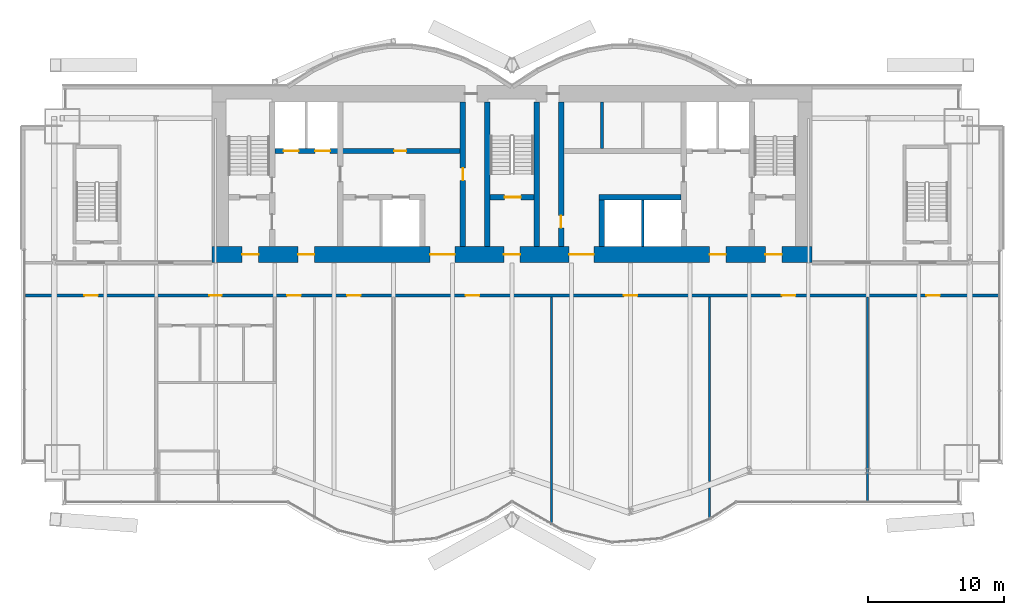
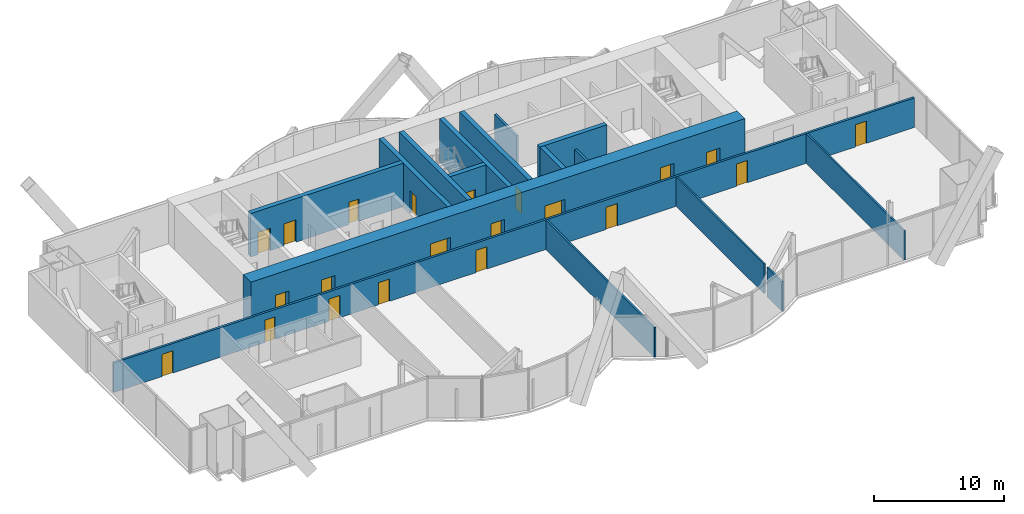
# One storey, part 15 of 20: 21 doors, 16 walls, 21 openings.
"""IFC4 building model written with IfcOpenShell, lengths in metres."""

from ifc_helpers import new_model, si_unit, direction, frame, frame_2d, origin, place, context, subcontext, project, spatial, rectangle, extrude, material, layer, layer_set, type_object, element, fill, save


model = new_model("IFC4")

# Units and contexts
model_context = context("Model", 3, precision=1e-05, world=origin(), true_north=direction((0.0, 1.0)))
body_context = subcontext(model_context, "Body", "Model", "MODEL_VIEW")
ifc_project = project(units=[si_unit("LENGTHUNIT", "METRE"), si_unit("AREAUNIT", "SQUARE_METRE"), si_unit("VOLUMEUNIT", "CUBIC_METRE"), si_unit("PLANEANGLEUNIT", "RADIAN"), si_unit("MASSUNIT", "GRAM", prefix="KILO")], contexts=[model_context])

# Site, building, storey
site_placement = place(None, origin())
site = spatial("IfcSite", under=ifc_project, at=site_placement, CompositionType="ELEMENT")
building_placement = place(site_placement, origin())
building = spatial("IfcBuilding", under=site, at=building_placement, Name="Bicima Exchange Tower", CompositionType="ELEMENT")
storey_placement = place(building_placement, frame((0.0, 0.0, 231.89990234375)))
storey = spatial("IfcBuildingStorey", under=building, at=storey_placement, Name="L52", CompositionType="ELEMENT", Elevation=231.89990234375)

# Walls
ifc_material_1 = material(Name="Gypsum board partition")
ifc_layer_1 = layer(ifc_material_1, 0.199951171875)
ifc_layer_set_1 = layer_set([ifc_layer_1], Name="Gypsum board partition")
wall_type_1 = type_object("IfcWallType", Name="Fire-rated gypsum partition 200 EI120", PredefinedType="PARTITIONING", material=ifc_layer_set_1)
for number, where, z_axis, x_axis, name in (
    (1, (6.60009765625, -4.60009765625, 0.0), (0.0, 0.0, 1.0), (0.0, 1.0, 0.0), "partition wall 18"),
    (2, (9.60009765625, -11.800048828125, 0.0), (0.0, 0.0, 1.0), (0.0, 1.0, 0.0), "partition wall 19"),
):
    element("IfcWall", number, at=place(storey_placement, frame(where, z_axis=z_axis, x_axis=x_axis)), inside=storey, type_object=wall_type_1, Name=name, PredefinedType="PARTITIONING", context=body_context, shape_type="SweptSolid", body=[
        extrude(rectangle(XDim=3.400146484375, YDim=0.199951171875, at=frame_2d((1.7001953125, 0.0))), origin(), (0.0, 0.0, 1.0), 2.790283203125),
    ])

# Wall, openings, doors
ifc_layer_2 = layer(ifc_material_1, 0.199951171875)
ifc_layer_set_2 = layer_set([ifc_layer_2], Name="Gypsum board partition")
wall_type_2 = type_object("IfcWallType", Name="Fire-rated gypsum partition 200 EI60", PredefinedType="PARTITIONING", material=ifc_layer_set_2)
wall_1_placement = place(storey_placement, frame((-35.679931640625, -15.39990234375, 0.0), z_axis=(0.0, 0.0, 1.0), x_axis=(1.0, 0.0, 0.0)))
wall_1 = element("IfcWall", 3, at=wall_1_placement, inside=storey, type_object=wall_type_2, Name="partition wall 4", PredefinedType="PARTITIONING", context=body_context, shape_type="SweptSolid", body=[
    extrude(rectangle(XDim=71.35986328125, YDim=0.199951171875, at=frame_2d((35.679931640625, 0.0))), origin(), (0.0, 0.0, 1.0), 2.790283203125),
])
opening_1_placement = place(wall_1_placement, frame((4.300048828125, 0.0, 0.0)))
opening_1 = element("IfcOpeningElement", 4, at=opening_1_placement, cuts=wall_1, Name="Opening L52-007", PredefinedType="OPENING", context=body_context, shape_type="SweptSolid", body=[
    extrude(rectangle(XDim=1.0, YDim=2.10009765625, at=frame_2d((0.5, 1.050048828125))), frame((0.0, 0.11181640625, 0.0), z_axis=(0.0, -1.0, 0.0), x_axis=(1.0, 0.0, 0.0)), (0.0, 0.0, 1.0), 0.223876953125),
])
opening_2_placement = place(wall_1_placement, frame((13.47998046875, 0.0, 0.0)))
opening_2 = element("IfcOpeningElement", 5, at=opening_2_placement, cuts=wall_1, Name="Opening L52-008", PredefinedType="OPENING", context=body_context, shape_type="SweptSolid", body=[
    extrude(rectangle(XDim=0.89990234375, YDim=2.10009765625, at=frame_2d((0.449951171875, 1.050048828125))), frame((0.0, 0.11181640625, 0.0), z_axis=(0.0, -1.0, 0.0), x_axis=(1.0, 0.0, 0.0)), (0.0, 0.0, 1.0), 0.223876953125),
])
opening_3_placement = place(wall_1_placement, frame((19.179931640625, 0.0, 0.0)))
opening_3 = element("IfcOpeningElement", 6, at=opening_3_placement, cuts=wall_1, Name="Opening L52-012", PredefinedType="OPENING", context=body_context, shape_type="SweptSolid", body=[
    extrude(rectangle(XDim=1.0, YDim=2.10009765625, at=frame_2d((0.5, 1.050048828125))), frame((0.0, 0.11181640625, 0.0), z_axis=(0.0, -1.0, 0.0), x_axis=(1.0, 0.0, 0.0)), (0.0, 0.0, 1.0), 0.223876953125),
])
opening_4_placement = place(wall_1_placement, frame((23.580078125, 0.0, 0.0)))
opening_4 = element("IfcOpeningElement", 7, at=opening_4_placement, cuts=wall_1, Name="Opening L52-013", PredefinedType="OPENING", context=body_context, shape_type="SweptSolid", body=[
    extrude(rectangle(XDim=1.0, YDim=2.10009765625, at=frame_2d((0.5, 1.050048828125))), frame((0.0, 0.11181640625, 0.0), z_axis=(0.0, -1.0, 0.0), x_axis=(1.0, 0.0, 0.0)), (0.0, 0.0, 1.0), 0.223876953125),
])
opening_5_placement = place(wall_1_placement, frame((32.280029296875, 0.0, 0.0)))
opening_5 = element("IfcOpeningElement", 8, at=opening_5_placement, cuts=wall_1, Name="Opening L52-014", PredefinedType="OPENING", context=body_context, shape_type="SweptSolid", body=[
    extrude(rectangle(XDim=1.0, YDim=2.10009765625, at=frame_2d((0.5, 1.050048828125))), frame((0.0, 0.11181640625, 0.0), z_axis=(0.0, -1.0, 0.0), x_axis=(1.0, 0.0, 0.0)), (0.0, 0.0, 1.0), 0.223876953125),
])
opening_6_placement = place(wall_1_placement, frame((43.8798828125, 0.0, 0.0)))
opening_6 = element("IfcOpeningElement", 9, at=opening_6_placement, cuts=wall_1, Name="Opening L52-015", PredefinedType="OPENING", context=body_context, shape_type="SweptSolid", body=[
    extrude(rectangle(XDim=1.0, YDim=2.10009765625, at=frame_2d((0.5, 1.050048828125))), frame((0.0, 0.11181640625, 0.0), z_axis=(0.0, -1.0, 0.0), x_axis=(1.0, 0.0, 0.0)), (0.0, 0.0, 1.0), 0.223876953125),
])
opening_7_placement = place(wall_1_placement, frame((55.47998046875, 0.0, 0.0)))
opening_7 = element("IfcOpeningElement", 10, at=opening_7_placement, cuts=wall_1, Name="Opening L52-016", PredefinedType="OPENING", context=body_context, shape_type="SweptSolid", body=[
    extrude(rectangle(XDim=1.0, YDim=2.10009765625, at=frame_2d((0.5, 1.050048828125))), frame((0.0, 0.11181640625, 0.0), z_axis=(0.0, -1.0, 0.0), x_axis=(1.0, 0.0, 0.0)), (0.0, 0.0, 1.0), 0.223876953125),
])
opening_8_placement = place(wall_1_placement, frame((66.080078125, 0.0, 0.0)))
opening_8 = element("IfcOpeningElement", 11, at=opening_8_placement, cuts=wall_1, Name="Opening L52-017", PredefinedType="OPENING", context=body_context, shape_type="SweptSolid", body=[
    extrude(rectangle(XDim=1.0, YDim=2.10009765625, at=frame_2d((0.5, 1.050048828125))), frame((0.0, 0.11181640625, 0.0), z_axis=(0.0, -1.0, 0.0), x_axis=(1.0, 0.0, 0.0)), (0.0, 0.0, 1.0), 0.223876953125),
])
ifc_material_2 = material(Name="Steel fire door leaf", Category="steel")
door_type_1 = type_object("IfcDoorType", Name="Door 1000 swing FD30S", OperationType="SINGLE_SWING_LEFT", PredefinedType="DOOR", material=ifc_material_2)
door_1_placement = place(opening_1_placement, frame((1.0, 0.0, 0.0), z_axis=(0.0, 0.0, 1.0), x_axis=(-1.0, 0.0, 0.0)))
door_1 = element("IfcDoor", 12, at=door_1_placement, inside=storey, type_object=door_type_1, Name="Door", OperationType="SINGLE_SWING_LEFT", OverallHeight=2.10009765625, OverallWidth=1.0, PredefinedType="DOOR", context=body_context, shape_type="SweptSolid", body=[
    extrude(rectangle(XDim=1.0, YDim=2.10009765625, at=frame_2d((0.5, 1.050048828125))), frame((0.0, 0.02490234375, 0.0), z_axis=(0.0, -1.0, 0.0), x_axis=(1.0, 0.0, 0.0)), (0.0, 0.0, 1.0), 0.050048828125),
])
fill(opening_1, door_1)
door_2_placement = place(opening_3_placement, frame((1.0, 0.0, 0.0), z_axis=(0.0, 0.0, 1.0), x_axis=(-1.0, 0.0, 0.0)))
door_2 = element("IfcDoor", 13, at=door_2_placement, inside=storey, type_object=door_type_1, Name="Door", OperationType="SINGLE_SWING_RIGHT", OverallHeight=2.10009765625, OverallWidth=1.0, PredefinedType="DOOR", context=body_context, shape_type="SweptSolid", body=[
    extrude(rectangle(XDim=1.0, YDim=2.10009765625, at=frame_2d((0.5, 1.050048828125))), frame((0.0, 0.02490234375, 0.0), z_axis=(0.0, -1.0, 0.0), x_axis=(1.0, 0.0, 0.0)), (0.0, 0.0, 1.0), 0.050048828125),
])
fill(opening_3, door_2)
door_3_placement = place(opening_4_placement, frame((1.0, 0.0, 0.0), z_axis=(0.0, 0.0, 1.0), x_axis=(-1.0, 0.0, 0.0)))
door_3 = element("IfcDoor", 14, at=door_3_placement, inside=storey, type_object=door_type_1, Name="Door", OperationType="SINGLE_SWING_LEFT", OverallHeight=2.10009765625, OverallWidth=1.0, PredefinedType="DOOR", context=body_context, shape_type="SweptSolid", body=[
    extrude(rectangle(XDim=1.0, YDim=2.10009765625, at=frame_2d((0.5, 1.050048828125))), frame((0.0, 0.02490234375, 0.0), z_axis=(0.0, -1.0, 0.0), x_axis=(1.0, 0.0, 0.0)), (0.0, 0.0, 1.0), 0.050048828125),
])
fill(opening_4, door_3)
door_4_placement = place(opening_5_placement, frame((1.0, 0.0, 0.0), z_axis=(0.0, 0.0, 1.0), x_axis=(-1.0, 0.0, 0.0)))
door_4 = element("IfcDoor", 15, at=door_4_placement, inside=storey, type_object=door_type_1, Name="Door", OperationType="SINGLE_SWING_RIGHT", OverallHeight=2.10009765625, OverallWidth=1.0, PredefinedType="DOOR", context=body_context, shape_type="SweptSolid", body=[
    extrude(rectangle(XDim=1.0, YDim=2.10009765625, at=frame_2d((0.5, 1.050048828125))), frame((0.0, 0.02490234375, 0.0), z_axis=(0.0, -1.0, 0.0), x_axis=(1.0, 0.0, 0.0)), (0.0, 0.0, 1.0), 0.050048828125),
])
fill(opening_5, door_4)
door_5_placement = place(opening_6_placement, frame((1.0, 0.0, 0.0), z_axis=(0.0, 0.0, 1.0), x_axis=(-1.0, 0.0, 0.0)))
door_5 = element("IfcDoor", 16, at=door_5_placement, inside=storey, type_object=door_type_1, Name="Door", OperationType="SINGLE_SWING_RIGHT", OverallHeight=2.10009765625, OverallWidth=1.0, PredefinedType="DOOR", context=body_context, shape_type="SweptSolid", body=[
    extrude(rectangle(XDim=1.0, YDim=2.10009765625, at=frame_2d((0.5, 1.050048828125))), frame((0.0, 0.02490234375, 0.0), z_axis=(0.0, -1.0, 0.0), x_axis=(1.0, 0.0, 0.0)), (0.0, 0.0, 1.0), 0.050048828125),
])
fill(opening_6, door_5)
door_6_placement = place(opening_7_placement, frame((1.0, 0.0, 0.0), z_axis=(0.0, 0.0, 1.0), x_axis=(-1.0, 0.0, 0.0)))
door_6 = element("IfcDoor", 17, at=door_6_placement, inside=storey, type_object=door_type_1, Name="Door", OperationType="SINGLE_SWING_LEFT", OverallHeight=2.10009765625, OverallWidth=1.0, PredefinedType="DOOR", context=body_context, shape_type="SweptSolid", body=[
    extrude(rectangle(XDim=1.0, YDim=2.10009765625, at=frame_2d((0.5, 1.050048828125))), frame((0.0, 0.02490234375, 0.0), z_axis=(0.0, -1.0, 0.0), x_axis=(1.0, 0.0, 0.0)), (0.0, 0.0, 1.0), 0.050048828125),
])
fill(opening_7, door_6)
door_7_placement = place(opening_8_placement, frame((1.0, 0.0, 0.0), z_axis=(0.0, 0.0, 1.0), x_axis=(-1.0, 0.0, 0.0)))
door_7 = element("IfcDoor", 18, at=door_7_placement, inside=storey, type_object=door_type_1, Name="Door", OperationType="SINGLE_SWING_RIGHT", OverallHeight=2.10009765625, OverallWidth=1.0, PredefinedType="DOOR", context=body_context, shape_type="SweptSolid", body=[
    extrude(rectangle(XDim=1.0, YDim=2.10009765625, at=frame_2d((0.5, 1.050048828125))), frame((0.0, 0.02490234375, 0.0), z_axis=(0.0, -1.0, 0.0), x_axis=(1.0, 0.0, 0.0)), (0.0, 0.0, 1.0), 0.050048828125),
])
fill(opening_8, door_7)
door_type_2 = type_object("IfcDoorType", Name="Door 900 swing FD30S", OperationType="SINGLE_SWING_LEFT", PredefinedType="DOOR", material=ifc_material_2)
door_8_placement = place(opening_2_placement, frame((0.89990234375, 0.0, 0.0), z_axis=(0.0, 0.0, 1.0), x_axis=(-1.0, 0.0, 0.0)))
door_8 = element("IfcDoor", 19, at=door_8_placement, inside=storey, type_object=door_type_2, Name="Door", OperationType="SINGLE_SWING_RIGHT", OverallHeight=2.10009765625, OverallWidth=0.89990234375, PredefinedType="DOOR", context=body_context, shape_type="SweptSolid", body=[
    extrude(rectangle(XDim=0.89990234375, YDim=2.10009765625, at=frame_2d((0.449951171875, 1.050048828125))), frame((0.0, 0.02490234375, 0.0), z_axis=(0.0, -1.0, 0.0), x_axis=(1.0, 0.0, 0.0)), (0.0, 0.0, 1.0), 0.050048828125),
])
fill(opening_2, door_8)

# Walls
ifc_layer_3 = layer(ifc_material_1, 0.14990234375)
ifc_layer_set_3 = layer_set([ifc_layer_3], Name="Gypsum board partition")
wall_type_3 = type_object("IfcWallType", Name="Gypsum partition 150", PredefinedType="PARTITIONING", material=ifc_layer_set_3)
wall_2_placement = place(storey_placement, frame((2.89990234375, -32.239990234375, 0.0), z_axis=(0.0, 0.0, 1.0), x_axis=(0.0, 1.0, 0.0)))
element("IfcWall", 20, at=wall_2_placement, inside=storey, type_object=wall_type_3, Name="partition wall 25", PredefinedType="PARTITIONING", context=body_context, shape_type="SweptSolid", body=[
    extrude(rectangle(XDim=16.739990234375, YDim=0.14990234375, at=frame_2d((8.3701171875, 0.0))), origin(), (0.0, 0.0, 1.0), 2.790283203125),
])
wall_3_placement = place(storey_placement, frame((14.5, -31.81005859375, 0.0), z_axis=(0.0, 0.0, 1.0), x_axis=(0.0, 1.0, 0.0)))
element("IfcWall", 21, at=wall_3_placement, inside=storey, type_object=wall_type_3, Name="partition wall 26", PredefinedType="PARTITIONING", context=body_context, shape_type="SweptSolid", body=[
    extrude(rectangle(XDim=2.274658203125, YDim=0.14990234375, at=frame_2d((1.13720703125, 0.0))), origin(), (0.0, 0.0, 1.0), 2.790283203125),
])
wall_4_placement = place(storey_placement, frame((14.5, -29.0478515625, 0.0), z_axis=(0.0, 0.0, 1.0), x_axis=(0.0, 1.0, 0.0)))
element("IfcWall", 22, at=wall_4_placement, inside=storey, type_object=wall_type_3, Name="partition wall 27", PredefinedType="PARTITIONING", context=body_context, shape_type="SweptSolid", body=[
    extrude(rectangle(XDim=13.5478515625, YDim=0.14990234375, at=frame_2d((6.77392578125, 0.0))), origin(), (0.0, 0.0, 1.0), 2.790283203125),
])
wall_5_placement = place(storey_placement, frame((26.10009765625, -30.570068359375, 0.0), z_axis=(0.0, 0.0, 1.0), x_axis=(0.0, 1.0, 0.0)))
element("IfcWall", 23, at=wall_5_placement, inside=storey, type_object=wall_type_3, Name="partition wall 28", PredefinedType="PARTITIONING", context=body_context, shape_type="SweptSolid", body=[
    extrude(rectangle(XDim=15.070068359375, YDim=0.14990234375, at=frame_2d((7.53515625, 0.0))), origin(), (0.0, 0.0, 1.0), 2.790283203125),
])

# Wall, openings, doors
ifc_material_3 = material(Name="Concrete C50/60", Category="concrete")
ifc_layer_4 = layer(ifc_material_3, 1.199951171875)
ifc_layer_set_4 = layer_set([ifc_layer_4], Name="Concrete C50/60")
wall_type_4 = type_object("IfcWallType", Name="RC core wall 1200 C50/60", PredefinedType="SHEAR", material=ifc_layer_set_4)
wall_6_placement = place(storey_placement, frame((-22.0, -12.39990234375, 0.0), z_axis=(0.0, 0.0, 1.0), x_axis=(1.0, 0.0, 0.0)))
wall_6 = element("IfcWall", 24, at=wall_6_placement, inside=storey, type_object=wall_type_4, Name="Core wall south", PredefinedType="SHEAR", context=body_context, shape_type="SweptSolid", body=[
    extrude(rectangle(XDim=44.0, YDim=1.199951171875, at=frame_2d((22.0, 0.0))), origin(), (0.0, 0.0, 1.0), 4.10009765625),
])
opening_9_placement = place(wall_6_placement, frame((2.199951171875, 0.0, 0.0)))
opening_9 = element("IfcOpeningElement", 25, at=opening_9_placement, cuts=wall_6, Name="Opening L52-C16", PredefinedType="OPENING", context=body_context, shape_type="SweptSolid", body=[
    extrude(rectangle(XDim=1.199951171875, YDim=2.10009765625, at=frame_2d((0.60009765625, 1.050048828125))), frame((0.0, 0.61181640625, 0.0), z_axis=(0.0, -1.0, 0.0), x_axis=(1.0, 0.0, 0.0)), (0.0, 0.0, 1.0), 1.223876953125),
])
opening_10_placement = place(wall_6_placement, frame((21.39990234375, 0.0, 0.0)))
opening_10 = element("IfcOpeningElement", 26, at=opening_10_placement, cuts=wall_6, Name="Opening L52-C17", PredefinedType="OPENING", context=body_context, shape_type="SweptSolid", body=[
    extrude(rectangle(XDim=1.199951171875, YDim=2.10009765625, at=frame_2d((0.60009765625, 1.050048828125))), frame((0.0, 0.61181640625, 0.0), z_axis=(0.0, -1.0, 0.0), x_axis=(1.0, 0.0, 0.0)), (0.0, 0.0, 1.0), 1.223876953125),
])
opening_11_placement = place(wall_6_placement, frame((40.60009765625, 0.0, 0.0)))
opening_11 = element("IfcOpeningElement", 27, at=opening_11_placement, cuts=wall_6, Name="Opening L52-C18", PredefinedType="OPENING", context=body_context, shape_type="SweptSolid", body=[
    extrude(rectangle(XDim=1.199951171875, YDim=2.10009765625, at=frame_2d((0.60009765625, 1.050048828125))), frame((0.0, 0.61181640625, 0.0), z_axis=(0.0, -1.0, 0.0), x_axis=(1.0, 0.0, 0.0)), (0.0, 0.0, 1.0), 1.223876953125),
])
opening_12_placement = place(wall_6_placement, frame((16.0, 0.0, 0.0)))
opening_12 = element("IfcOpeningElement", 28, at=opening_12_placement, cuts=wall_6, Name="Opening L52-C19", PredefinedType="OPENING", context=body_context, shape_type="SweptSolid", body=[
    extrude(rectangle(XDim=1.800048828125, YDim=2.10009765625, at=frame_2d((0.89990234375, 1.050048828125))), frame((0.0, 0.61181640625, 0.0), z_axis=(0.0, -1.0, 0.0), x_axis=(1.0, 0.0, 0.0)), (0.0, 0.0, 1.0), 1.223876953125),
])
opening_13_placement = place(wall_6_placement, frame((6.300048828125, 0.0, 0.0)))
opening_13 = element("IfcOpeningElement", 29, at=opening_13_placement, cuts=wall_6, Name="Opening L52-C20", PredefinedType="OPENING", context=body_context, shape_type="SweptSolid", body=[
    extrude(rectangle(XDim=1.199951171875, YDim=2.10009765625, at=frame_2d((0.60009765625, 1.050048828125))), frame((0.0, 0.61181640625, 0.0), z_axis=(0.0, -1.0, 0.0), x_axis=(1.0, 0.0, 0.0)), (0.0, 0.0, 1.0), 1.223876953125),
])
opening_14_placement = place(wall_6_placement, frame((26.199951171875, 0.0, 0.0)))
opening_14 = element("IfcOpeningElement", 30, at=opening_14_placement, cuts=wall_6, Name="Opening L52-C21", PredefinedType="OPENING", context=body_context, shape_type="SweptSolid", body=[
    extrude(rectangle(XDim=1.800048828125, YDim=2.10009765625, at=frame_2d((0.89990234375, 1.050048828125))), frame((0.0, 0.61181640625, 0.0), z_axis=(0.0, -1.0, 0.0), x_axis=(1.0, 0.0, 0.0)), (0.0, 0.0, 1.0), 1.223876953125),
])
opening_15_placement = place(wall_6_placement, frame((36.5, 0.0, 0.0)))
opening_15 = element("IfcOpeningElement", 31, at=opening_15_placement, cuts=wall_6, Name="Opening L52-C22", PredefinedType="OPENING", context=body_context, shape_type="SweptSolid", body=[
    extrude(rectangle(XDim=1.199951171875, YDim=2.10009765625, at=frame_2d((0.60009765625, 1.050048828125))), frame((0.0, 0.61181640625, 0.0), z_axis=(0.0, -1.0, 0.0), x_axis=(1.0, 0.0, 0.0)), (0.0, 0.0, 1.0), 1.223876953125),
])
door_type_3 = type_object("IfcDoorType", Name="Door 1200 swing FD60S", OperationType="SINGLE_SWING_LEFT", PredefinedType="DOOR", material=ifc_material_2)
door_9_placement = place(opening_9_placement, frame((1.199951171875, 0.0, 0.0), z_axis=(0.0, 0.0, 1.0), x_axis=(-1.0, 0.0, 0.0)))
door_9 = element("IfcDoor", 32, at=door_9_placement, inside=storey, type_object=door_type_3, Name="Core door", OperationType="SINGLE_SWING_RIGHT", OverallHeight=2.10009765625, OverallWidth=1.199951171875, PredefinedType="DOOR", context=body_context, shape_type="SweptSolid", body=[
    extrude(rectangle(XDim=1.199951171875, YDim=2.10009765625, at=frame_2d((0.60009765625, 1.050048828125))), frame((0.0, 0.02490234375, 0.0), z_axis=(0.0, -1.0, 0.0), x_axis=(1.0, 0.0, 0.0)), (0.0, 0.0, 1.0), 0.050048828125),
])
fill(opening_9, door_9)
door_10_placement = place(opening_10_placement, frame((1.199951171875, 0.0, 0.0), z_axis=(0.0, 0.0, 1.0), x_axis=(-1.0, 0.0, 0.0)))
door_10 = element("IfcDoor", 33, at=door_10_placement, inside=storey, type_object=door_type_3, Name="Core door", OperationType="SINGLE_SWING_RIGHT", OverallHeight=2.10009765625, OverallWidth=1.199951171875, PredefinedType="DOOR", context=body_context, shape_type="SweptSolid", body=[
    extrude(rectangle(XDim=1.199951171875, YDim=2.10009765625, at=frame_2d((0.60009765625, 1.050048828125))), frame((0.0, 0.02490234375, 0.0), z_axis=(0.0, -1.0, 0.0), x_axis=(1.0, 0.0, 0.0)), (0.0, 0.0, 1.0), 0.050048828125),
])
fill(opening_10, door_10)
door_11_placement = place(opening_11_placement, frame((1.199951171875, 0.0, 0.0), z_axis=(0.0, 0.0, 1.0), x_axis=(-1.0, 0.0, 0.0)))
door_11 = element("IfcDoor", 34, at=door_11_placement, inside=storey, type_object=door_type_3, Name="Core door", OperationType="SINGLE_SWING_RIGHT", OverallHeight=2.10009765625, OverallWidth=1.199951171875, PredefinedType="DOOR", context=body_context, shape_type="SweptSolid", body=[
    extrude(rectangle(XDim=1.199951171875, YDim=2.10009765625, at=frame_2d((0.60009765625, 1.050048828125))), frame((0.0, 0.02490234375, 0.0), z_axis=(0.0, -1.0, 0.0), x_axis=(1.0, 0.0, 0.0)), (0.0, 0.0, 1.0), 0.050048828125),
])
fill(opening_11, door_11)
door_12_placement = place(opening_13_placement, frame((1.199951171875, 0.0, 0.0), z_axis=(0.0, 0.0, 1.0), x_axis=(-1.0, 0.0, 0.0)))
door_12 = element("IfcDoor", 35, at=door_12_placement, inside=storey, type_object=door_type_3, Name="Core door", OperationType="SINGLE_SWING_RIGHT", OverallHeight=2.10009765625, OverallWidth=1.199951171875, PredefinedType="DOOR", context=body_context, shape_type="SweptSolid", body=[
    extrude(rectangle(XDim=1.199951171875, YDim=2.10009765625, at=frame_2d((0.60009765625, 1.050048828125))), frame((0.0, 0.02490234375, 0.0), z_axis=(0.0, -1.0, 0.0), x_axis=(1.0, 0.0, 0.0)), (0.0, 0.0, 1.0), 0.050048828125),
])
fill(opening_13, door_12)
door_13_placement = place(opening_15_placement, frame((1.199951171875, 0.0, 0.0), z_axis=(0.0, 0.0, 1.0), x_axis=(-1.0, 0.0, 0.0)))
door_13 = element("IfcDoor", 36, at=door_13_placement, inside=storey, type_object=door_type_3, Name="Core door", OperationType="SINGLE_SWING_RIGHT", OverallHeight=2.10009765625, OverallWidth=1.199951171875, PredefinedType="DOOR", context=body_context, shape_type="SweptSolid", body=[
    extrude(rectangle(XDim=1.199951171875, YDim=2.10009765625, at=frame_2d((0.60009765625, 1.050048828125))), frame((0.0, 0.02490234375, 0.0), z_axis=(0.0, -1.0, 0.0), x_axis=(1.0, 0.0, 0.0)), (0.0, 0.0, 1.0), 0.050048828125),
])
fill(opening_15, door_13)
door_type_4 = type_object("IfcDoorType", Name="Door 1800 double swing FD30S", OperationType="DOUBLE_DOOR_SINGLE_SWING", PredefinedType="DOOR", material=ifc_material_2)
door_14_placement = place(opening_12_placement, origin())
door_14 = element("IfcDoor", 37, at=door_14_placement, inside=storey, type_object=door_type_4, Name="Core door", OperationType="SINGLE_SWING_LEFT", OverallHeight=2.10009765625, OverallWidth=1.800048828125, PredefinedType="DOOR", context=body_context, shape_type="SweptSolid", body=[
    extrude(rectangle(XDim=1.800048828125, YDim=2.10009765625, at=frame_2d((0.89990234375, 1.050048828125))), frame((0.0, 0.02490234375, 0.0), z_axis=(0.0, -1.0, 0.0), x_axis=(1.0, 0.0, 0.0)), (0.0, 0.0, 1.0), 0.050048828125),
])
fill(opening_12, door_14)
door_15_placement = place(opening_14_placement, origin())
door_15 = element("IfcDoor", 38, at=door_15_placement, inside=storey, type_object=door_type_4, Name="Core door", OperationType="SINGLE_SWING_LEFT", OverallHeight=2.10009765625, OverallWidth=1.800048828125, PredefinedType="DOOR", context=body_context, shape_type="SweptSolid", body=[
    extrude(rectangle(XDim=1.800048828125, YDim=2.10009765625, at=frame_2d((0.89990234375, 1.050048828125))), frame((0.0, 0.02490234375, 0.0), z_axis=(0.0, -1.0, 0.0), x_axis=(1.0, 0.0, 0.0)), (0.0, 0.0, 1.0), 0.050048828125),
])
fill(opening_14, door_15)

# Wall, opening, door
ifc_layer_5 = layer(ifc_material_3, 0.39990234375)
ifc_layer_set_5 = layer_set([ifc_layer_5], Name="Concrete C50/60")
wall_type_5 = type_object("IfcWallType", Name="RC core wall 400 C50/60", PredefinedType="SHEAR", material=ifc_layer_set_5)
wall_7_placement = place(storey_placement, frame((-1.60009765625, -8.199951171875, 0.0), z_axis=(0.0, 0.0, 1.0), x_axis=(1.0, 0.0, 0.0)))
wall_7 = element("IfcWall", 39, at=wall_7_placement, inside=storey, type_object=wall_type_5, Name="stair wall 3", PredefinedType="SHEAR", context=body_context, shape_type="SweptSolid", body=[
    extrude(rectangle(XDim=3.2001953125, YDim=0.39990234375, at=frame_2d((1.60009765625, 0.0))), origin(), (0.0, 0.0, 1.0), 4.10009765625),
])
opening_16_placement = place(wall_7_placement, frame((1.050048828125, 0.0, 0.0)))
opening_16 = element("IfcOpeningElement", 40, at=opening_16_placement, cuts=wall_7, Name="Opening L52-C03", PredefinedType="OPENING", context=body_context, shape_type="SweptSolid", body=[
    extrude(rectangle(XDim=1.199951171875, YDim=2.10009765625, at=frame_2d((0.60009765625, 1.050048828125))), frame((0.0, 0.2119140625, 0.0), z_axis=(0.0, -1.0, 0.0), x_axis=(1.0, 0.0, 0.0)), (0.0, 0.0, 1.0), 0.423828125),
])
door_16_placement = place(opening_16_placement, origin())
door_16 = element("IfcDoor", 41, at=door_16_placement, inside=storey, type_object=door_type_3, Name="Core door", OperationType="SINGLE_SWING_LEFT", OverallHeight=2.10009765625, OverallWidth=1.199951171875, PredefinedType="DOOR", context=body_context, shape_type="SweptSolid", body=[
    extrude(rectangle(XDim=1.199951171875, YDim=2.10009765625, at=frame_2d((0.60009765625, 1.050048828125))), frame((0.0, 0.02490234375, 0.0), z_axis=(0.0, -1.0, 0.0), x_axis=(1.0, 0.0, 0.0)), (0.0, 0.0, 1.0), 0.050048828125),
])
fill(opening_16, door_16)

# Wall
wall_8_placement = place(storey_placement, frame((6.39990234375, -8.199951171875, 0.0), z_axis=(0.0, 0.0, 1.0), x_axis=(1.0, 0.0, 0.0)))
element("IfcWall", 42, at=wall_8_placement, inside=storey, type_object=wall_type_5, Name="shear wall 4", PredefinedType="SHEAR", context=body_context, shape_type="SweptSolid", body=[
    extrude(rectangle(XDim=6.0, YDim=0.39990234375, at=frame_2d((3.0, 0.0))), origin(), (0.0, 0.0, 1.0), 4.10009765625),
])

# Wall, openings, doors
wall_9_placement = place(storey_placement, frame((-17.39990234375, -4.800048828125, 0.0), z_axis=(0.0, 0.0, 1.0), x_axis=(1.0, 0.0, 0.0)))
wall_9 = element("IfcWall", 43, at=wall_9_placement, inside=storey, type_object=wall_type_5, Name="shear wall 6", PredefinedType="SHEAR", context=body_context, shape_type="SweptSolid", body=[
    extrude(rectangle(XDim=13.599853515625, YDim=0.39990234375, at=frame_2d((6.7998046875, 0.0))), origin(), (0.0, 0.0, 1.0), 4.10009765625),
])
opening_17_placement = place(wall_9_placement, frame((0.64990234375, 0.0, 0.0)))
opening_17 = element("IfcOpeningElement", 44, at=opening_17_placement, cuts=wall_9, Name="Opening LD-FF1-L52", PredefinedType="OPENING", context=body_context, shape_type="SweptSolid", body=[
    extrude(rectangle(XDim=1.10009765625, YDim=2.10009765625, at=frame_2d((0.550048828125, 1.050048828125))), frame((0.0, 0.2119140625, 0.0), z_axis=(0.0, -1.0, 0.0), x_axis=(1.0, 0.0, 0.0)), (0.0, 0.0, 1.0), 0.423828125),
])
opening_18_placement = place(wall_9_placement, frame((2.949951171875, 0.0, 0.0)))
opening_18 = element("IfcOpeningElement", 45, at=opening_18_placement, cuts=wall_9, Name="Opening LD-FF3-L52", PredefinedType="OPENING", context=body_context, shape_type="SweptSolid", body=[
    extrude(rectangle(XDim=1.10009765625, YDim=2.10009765625, at=frame_2d((0.550048828125, 1.050048828125))), frame((0.0, 0.2119140625, 0.0), z_axis=(0.0, -1.0, 0.0), x_axis=(1.0, 0.0, 0.0)), (0.0, 0.0, 1.0), 0.423828125),
])
opening_19_placement = place(wall_9_placement, frame((8.75, 0.0, 0.0)))
opening_19 = element("IfcOpeningElement", 46, at=opening_19_placement, cuts=wall_9, Name="Opening L52-C12", PredefinedType="OPENING", context=body_context, shape_type="SweptSolid", body=[
    extrude(rectangle(XDim=0.89990234375, YDim=2.10009765625, at=frame_2d((0.449951171875, 1.050048828125))), frame((0.0, 0.2119140625, 0.0), z_axis=(0.0, -1.0, 0.0), x_axis=(1.0, 0.0, 0.0)), (0.0, 0.0, 1.0), 0.423828125),
])
door_17_placement = place(opening_19_placement, origin())
door_17 = element("IfcDoor", 47, at=door_17_placement, inside=storey, type_object=door_type_2, Name="Core door", OperationType="SINGLE_SWING_RIGHT", OverallHeight=2.10009765625, OverallWidth=0.89990234375, PredefinedType="DOOR", context=body_context, shape_type="SweptSolid", body=[
    extrude(rectangle(XDim=0.89990234375, YDim=2.10009765625, at=frame_2d((0.449951171875, 1.050048828125))), frame((0.0, 0.02490234375, 0.0), z_axis=(0.0, -1.0, 0.0), x_axis=(1.0, 0.0, 0.0)), (0.0, 0.0, 1.0), 0.050048828125),
])
fill(opening_19, door_17)
ifc_material_4 = material(Name="Stainless steel", Category="steel")
door_type_5 = type_object("IfcDoorType", Name="Lift landing door 1100 sliding", OperationType="DOUBLE_DOOR_SLIDING", PredefinedType="DOOR", material=ifc_material_4)
door_18_placement = place(opening_17_placement, origin())
door_18 = element("IfcDoor", 48, at=door_18_placement, inside=storey, type_object=door_type_5, Name="Lift landing door FF1", OperationType="DOUBLE_DOOR_SLIDING", OverallHeight=2.10009765625, OverallWidth=1.10009765625, PredefinedType="DOOR", context=body_context, shape_type="SweptSolid", body=[
    extrude(rectangle(XDim=1.10009765625, YDim=2.10009765625, at=frame_2d((0.550048828125, 1.050048828125))), frame((0.0, 0.02490234375, 0.0), z_axis=(0.0, -1.0, 0.0), x_axis=(1.0, 0.0, 0.0)), (0.0, 0.0, 1.0), 0.050048828125),
])
fill(opening_17, door_18)
door_19_placement = place(opening_18_placement, origin())
door_19 = element("IfcDoor", 49, at=door_19_placement, inside=storey, type_object=door_type_5, Name="Lift landing door FF3", OperationType="DOUBLE_DOOR_SLIDING", OverallHeight=2.10009765625, OverallWidth=1.10009765625, PredefinedType="DOOR", context=body_context, shape_type="SweptSolid", body=[
    extrude(rectangle(XDim=1.10009765625, YDim=2.10009765625, at=frame_2d((0.550048828125, 1.050048828125))), frame((0.0, 0.02490234375, 0.0), z_axis=(0.0, -1.0, 0.0), x_axis=(1.0, 0.0, 0.0)), (0.0, 0.0, 1.0), 0.050048828125),
])
fill(opening_18, door_19)

# Wall, opening, door
wall_10_placement = place(storey_placement, frame((-3.60009765625, -11.800048828125, 0.0), z_axis=(0.0, 0.0, 1.0), x_axis=(0.0, 1.0, 0.0)))
wall_10 = element("IfcWall", 50, at=wall_10_placement, inside=storey, type_object=wall_type_5, Name="shear wall 13", PredefinedType="SHEAR", context=body_context, shape_type="SweptSolid", body=[
    extrude(rectangle(XDim=10.60009765625, YDim=0.39990234375, at=frame_2d((5.300048828125, 0.0))), origin(), (0.0, 0.0, 1.0), 4.10009765625),
])
opening_20_placement = place(wall_10_placement, frame((4.85009765625, 0.0, 0.0)))
opening_20 = element("IfcOpeningElement", 51, at=opening_20_placement, cuts=wall_10, Name="Opening L52-C10", PredefinedType="OPENING", context=body_context, shape_type="SweptSolid", body=[
    extrude(rectangle(XDim=0.89990234375, YDim=2.10009765625, at=frame_2d((0.449951171875, 1.050048828125))), frame((0.0, 0.2119140625, 0.0), z_axis=(0.0, -1.0, 0.0), x_axis=(1.0, 0.0, 0.0)), (0.0, 0.0, 1.0), 0.423828125),
])
door_20_placement = place(opening_20_placement, frame((0.89990234375, 0.0, 0.0), z_axis=(0.0, 0.0, 1.0), x_axis=(-1.0, 0.0, 0.0)))
door_20 = element("IfcDoor", 52, at=door_20_placement, inside=storey, type_object=door_type_2, Name="Core door", OperationType="SINGLE_SWING_LEFT", OverallHeight=2.10009765625, OverallWidth=0.89990234375, PredefinedType="DOOR", context=body_context, shape_type="SweptSolid", body=[
    extrude(rectangle(XDim=0.89990234375, YDim=2.10009765625, at=frame_2d((0.449951171875, 1.050048828125))), frame((0.0, 0.02490234375, 0.0), z_axis=(0.0, -1.0, 0.0), x_axis=(1.0, 0.0, 0.0)), (0.0, 0.0, 1.0), 0.050048828125),
])
fill(opening_20, door_20)

# Walls
for number, where, z_axis, x_axis, name in (
    (53, (-1.800048828125, -11.800048828125, 0.0), (0.0, 0.0, 1.0), (0.0, 1.0, 0.0), "stair wall 14"),
    (54, (1.800048828125, -11.800048828125, 0.0), (0.0, 0.0, 1.0), (0.0, 1.0, 0.0), "stair wall 15"),
):
    element("IfcWall", number, at=place(storey_placement, frame(where, z_axis=z_axis, x_axis=x_axis)), inside=storey, type_object=wall_type_5, Name=name, PredefinedType="SHEAR", context=body_context, shape_type="SweptSolid", body=[
        extrude(rectangle(XDim=10.60009765625, YDim=0.39990234375, at=frame_2d((5.300048828125, 0.0))), origin(), (0.0, 0.0, 1.0), 4.10009765625),
    ])

# Wall, opening, door
wall_11_placement = place(storey_placement, frame((3.60009765625, -11.800048828125, 0.0), z_axis=(0.0, 0.0, 1.0), x_axis=(0.0, 1.0, 0.0)))
wall_11 = element("IfcWall", 55, at=wall_11_placement, inside=storey, type_object=wall_type_5, Name="shear wall 16", PredefinedType="SHEAR", context=body_context, shape_type="SweptSolid", body=[
    extrude(rectangle(XDim=10.60009765625, YDim=0.39990234375, at=frame_2d((5.300048828125, 0.0))), origin(), (0.0, 0.0, 1.0), 4.10009765625),
])
opening_21_placement = place(wall_11_placement, frame((1.35009765625, 0.0, 0.0)))
opening_21 = element("IfcOpeningElement", 56, at=opening_21_placement, cuts=wall_11, Name="Opening L52-C11", PredefinedType="OPENING", context=body_context, shape_type="SweptSolid", body=[
    extrude(rectangle(XDim=0.89990234375, YDim=2.10009765625, at=frame_2d((0.449951171875, 1.050048828125))), frame((0.0, 0.2119140625, 0.0), z_axis=(0.0, -1.0, 0.0), x_axis=(1.0, 0.0, 0.0)), (0.0, 0.0, 1.0), 0.423828125),
])
door_21_placement = place(opening_21_placement, origin())
door_21 = element("IfcDoor", 57, at=door_21_placement, inside=storey, type_object=door_type_2, Name="Core door", OperationType="SINGLE_SWING_LEFT", OverallHeight=2.10009765625, OverallWidth=0.89990234375, PredefinedType="DOOR", context=body_context, shape_type="SweptSolid", body=[
    extrude(rectangle(XDim=0.89990234375, YDim=2.10009765625, at=frame_2d((0.449951171875, 1.050048828125))), frame((0.0, 0.02490234375, 0.0), z_axis=(0.0, -1.0, 0.0), x_axis=(1.0, 0.0, 0.0)), (0.0, 0.0, 1.0), 0.050048828125),
])
fill(opening_21, door_21)

# Wall
wall_12_placement = place(storey_placement, frame((6.60009765625, -11.800048828125, 0.0), z_axis=(0.0, 0.0, 1.0), x_axis=(0.0, 1.0, 0.0)))
element("IfcWall", 58, at=wall_12_placement, inside=storey, type_object=wall_type_5, Name="shear wall 17", PredefinedType="SHEAR", context=body_context, shape_type="SweptSolid", body=[
    extrude(rectangle(XDim=3.400146484375, YDim=0.39990234375, at=frame_2d((1.7001953125, 0.0))), origin(), (0.0, 0.0, 1.0), 4.10009765625),
])

save(model, "model.ifc")
